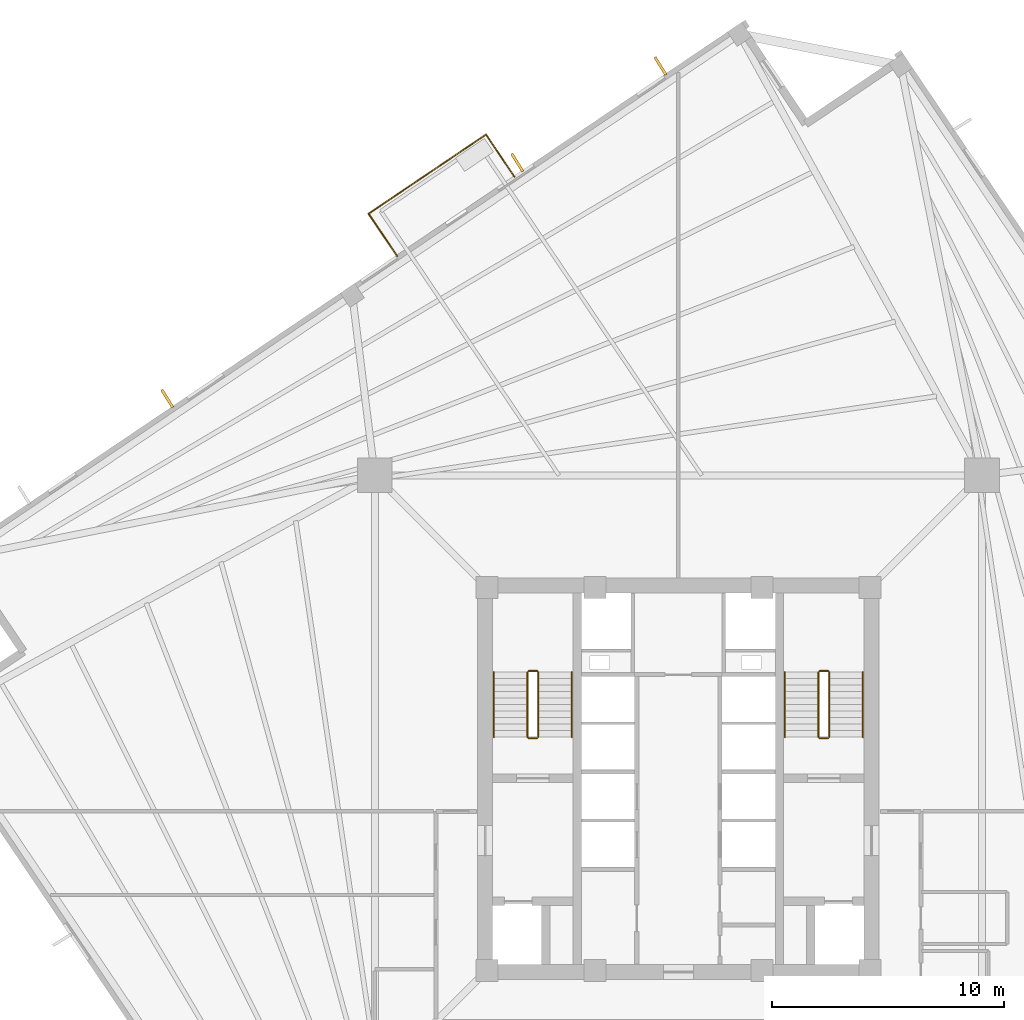
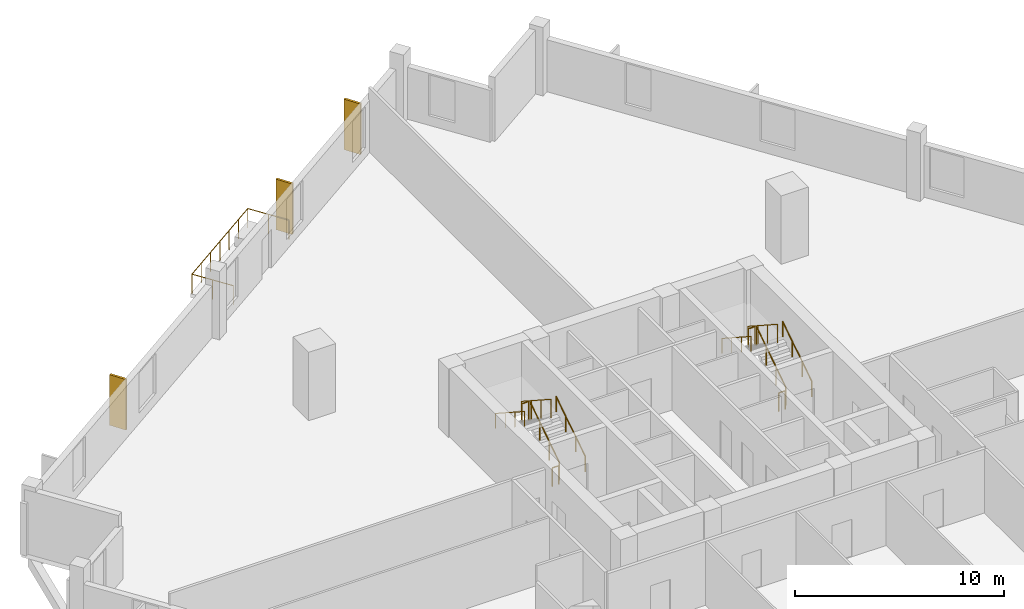
# One storey, part 7 of 8: 15 railings, 3 coverings.
"""IFC4 building model written with IfcOpenShell, lengths in metres."""

from ifc_helpers import new_model, si_unit, direction, frame, origin, origin_2d, place, context, subcontext, project, spatial, rectangle, circle, extrude, source, transform, mapped, material, layer, layer_set, type_object, element, save


model = new_model("IFC4")

# Units and contexts
model_context = context("Model", 3, precision=1e-05, world=origin(), true_north=direction((0.0, 1.0)))
body_context = subcontext(model_context, "Body", "Model", "MODEL_VIEW")
ifc_project = project(units=[si_unit("LENGTHUNIT", "METRE"), si_unit("AREAUNIT", "SQUARE_METRE"), si_unit("VOLUMEUNIT", "CUBIC_METRE"), si_unit("PLANEANGLEUNIT", "RADIAN"), si_unit("MASSUNIT", "GRAM", prefix="KILO"), si_unit("THERMODYNAMICTEMPERATUREUNIT", "KELVIN")], contexts=[model_context])

# Site, building, storey
site_placement = place(None, origin())
site = spatial("IfcSite", under=ifc_project, at=site_placement, CompositionType="ELEMENT")
building_placement = place(site_placement, origin())
building = spatial("IfcBuilding", under=site, at=building_placement, Name="Kosmvard Interchange Tower", CompositionType="ELEMENT")
storey_placement = place(building_placement, frame((0.0, 0.0, 152.39990234375)))
storey = spatial("IfcBuildingStorey", under=building, at=storey_placement, Name="L36", CompositionType="ELEMENT", Elevation=152.39990234375)

# Coverings
ifc_material_1 = material(Name="Architectural anodised aluminium", Category="aluminium")
ifc_layer = layer(ifc_material_1, 0.1201171875, Name="Architectural anodised aluminium")
ifc_layer_set = layer_set([ifc_layer], Name="Architectural anodised aluminium")
covering_type = type_object("IfcCoveringType", Name="Rotating Vertical Sun-Breaker Fin 900x120 Aluminium", PredefinedType="CLADDING", material=ifc_layer_set)
shared_shape_1 = source(origin(), body_context, "Body", "SweptSolid", [
    extrude(rectangle(XDim=0.89990234375, YDim=0.1201171875, at=origin_2d()), origin(), (0.0, 0.0, 1.0), 2.9599609375),
])
for number, where, z_axis, x_axis, name in (
    (1, (-0.774169921875, 30.718994140625, 0.0400390625), (0.0, 0.0, 1.0), (-0.529475154669, 0.848325444973, 0.0), "L36 Rotating Vertical Sun-Breaker Fin 09"),
    (2, (-6.943115234375, 26.557861328125, 0.0400390625), (0.0, 0.0, 1.0), (-0.529475154669, 0.848325444973, 0.0), "L36 Rotating Vertical Sun-Breaker Fin 10"),
    (3, (-22.02294921875, 16.38623046875, 0.0400390625), (0.0, 0.0, 1.0), (-0.529475154669, 0.848325444973, 0.0), "L36 Rotating Vertical Sun-Breaker Fin 11"),
):
    element("IfcCovering", number, at=place(storey_placement, frame(where, z_axis=z_axis, x_axis=x_axis)), inside=storey, type_object=covering_type, Name=name, PredefinedType="CLADDING", context=body_context, shape_type="MappedRepresentation", body=[
        mapped(shared_shape_1, transform((0.0, 0.0, 0.0), scale=1.0)),
    ])

# Railings
ifc_material_2 = material(Name="Steel S355", Category="steel")
railing_type_1 = type_object("IfcRailingType", Name="Observation & Balcony Glass-Infill Balustrade 1150", PredefinedType="BALUSTRADE", material=ifc_material_2)
shared_shape_2 = source(origin(), body_context, "Body", "SweptSolid", [
    extrude(circle(Radius=0.02392578125, at=origin_2d()), frame((0.0, 0.0, 1.1259765625), z_axis=(0.559173597279, -0.829050594418, 0.0), x_axis=(0.829050594418, 0.559173597279, 0.0)), (0.0, 0.0, 1.0), 2.2001953125),
    extrude(circle(Radius=0.02099609375, at=origin_2d()), origin(), (0.0, 0.0, 1.0), 1.101806640625),
    extrude(circle(Radius=0.02099609375, at=origin_2d()), frame((0.615234375, -0.912109375, 0.0)), (0.0, 0.0, 1.0), 1.101806640625),
    extrude(circle(Radius=0.02099609375, at=origin_2d()), frame((1.230224609375, -1.823974609375, 0.0)), (0.0, 0.0, 1.0), 1.101806640625),
])
railing_1_placement = place(storey_placement, frame((-13.34765625, 24.348876953125, 0.0)))
element("IfcRailing", 4, at=railing_1_placement, inside=storey, type_object=railing_type_1, Name="L36 Outdoor Terrace Guard BAL-L36-N-C", PredefinedType="BALUSTRADE", context=body_context, shape_type="MappedRepresentation", body=[
    mapped(shared_shape_2, transform((0.0, 0.0, 0.0), scale=1.0)),
])
shared_shape_3 = source(origin(), body_context, "Body", "SweptSolid", [
    extrude(circle(Radius=0.02392578125, at=origin_2d()), frame((0.0, 0.0, 1.1259765625), z_axis=(-0.559173597279, 0.829050594418, 0.0), x_axis=(-0.829050594418, -0.559173597279, 0.0)), (0.0, 0.0, 1.0), 2.2001953125),
    extrude(circle(Radius=0.02099609375, at=origin_2d()), origin(), (0.0, 0.0, 1.0), 1.101806640625),
    extrude(circle(Radius=0.02099609375, at=origin_2d()), frame((-0.615234375, 0.912109375, 0.0)), (0.0, 0.0, 1.0), 1.101806640625),
    extrude(circle(Radius=0.02099609375, at=origin_2d()), frame((-1.230224609375, 1.823974609375, 0.0)), (0.0, 0.0, 1.0), 1.101806640625),
])
railing_2_placement = place(storey_placement, frame((-7.060302734375, 25.93603515625, 0.0)))
element("IfcRailing", 5, at=railing_2_placement, inside=storey, type_object=railing_type_1, Name="L36 Outdoor Terrace Guard BAL-L36-N-A", PredefinedType="BALUSTRADE", context=body_context, shape_type="MappedRepresentation", body=[
    mapped(shared_shape_3, transform((0.0, 0.0, 0.0), scale=1.0)),
])
shared_shape_4 = source(origin(), body_context, "Body", "SweptSolid", [
    extrude(circle(Radius=0.02392578125, at=origin_2d()), frame((0.0, 0.0, 1.1259765625), z_axis=(-0.829033294248, -0.55919924627, 0.0), x_axis=(0.55919924627, -0.829033294248, 0.0)), (0.0, 0.0, 1.0), 6.10009765625),
    extrude(circle(Radius=0.02099609375, at=origin_2d()), origin(), (0.0, 0.0, 1.0), 1.101806640625),
    extrude(circle(Radius=0.02099609375, at=origin_2d()), frame((-0.8427734375, -0.568603515625, 0.0)), (0.0, 0.0, 1.0), 1.101806640625),
    extrude(circle(Radius=0.02099609375, at=origin_2d()), frame((-1.685791015625, -1.136962890625, 0.0)), (0.0, 0.0, 1.0), 1.101806640625),
    extrude(circle(Radius=0.02099609375, at=origin_2d()), frame((-2.528564453125, -1.70556640625, 0.0)), (0.0, 0.0, 1.0), 1.101806640625),
    extrude(circle(Radius=0.02099609375, at=origin_2d()), frame((-3.371337890625, -2.274169921875, 0.0)), (0.0, 0.0, 1.0), 1.101806640625),
    extrude(circle(Radius=0.02099609375, at=origin_2d()), frame((-4.21435546875, -2.842529296875, 0.0)), (0.0, 0.0, 1.0), 1.101806640625),
    extrude(circle(Radius=0.02099609375, at=origin_2d()), frame((-5.05712890625, -3.4111328125, 0.0)), (0.0, 0.0, 1.0), 1.101806640625),
])
railing_3_placement = place(storey_placement, frame((-8.29052734375, 27.760009765625, 0.0)))
element("IfcRailing", 6, at=railing_3_placement, inside=storey, type_object=railing_type_1, Name="L36 Outdoor Terrace Guard BAL-L36-N-B", PredefinedType="BALUSTRADE", context=body_context, shape_type="MappedRepresentation", body=[
    mapped(shared_shape_4, transform((0.0, 0.0, 0.0), scale=1.0)),
])
railing_type_2 = type_object("IfcRailingType", Name="Stair & Terrace Safety Guardrail 1100 Steel", PredefinedType="GUARDRAIL", material=ifc_material_2)
shared_shape_5 = source(origin(), body_context, "Body", "SweptSolid", [
    extrude(circle(Radius=0.02392578125, at=origin_2d()), frame((0.0, 0.0, 1.076171875), z_axis=(-1.0, 0.0, 0.0), x_axis=(0.0, -1.0, 0.0)), (0.0, 0.0, 1.0), 0.35986328125),
    extrude(circle(Radius=0.02099609375, at=origin_2d()), origin(), (0.0, 0.0, 1.0), 1.052001953125),
    extrude(circle(Radius=0.02099609375, at=origin_2d()), frame((-0.35986328125, 0.0, 0.0)), (0.0, 0.0, 1.0), 1.052001953125),
])
for number, where, name in (
    (7, (-6.090087890625, 4.64990234375, 2.0), "L36 ST-1 stair guard 2"),
    (8, (-6.090087890625, 1.75, 0.0), "L36 ST-1 stair guard 4"),
    (9, (6.449951171875, 4.64990234375, 2.0), "L36 ST-2 stair guard 2"),
    (10, (6.449951171875, 1.75, 0.0), "L36 ST-2 stair guard 4"),
):
    element("IfcRailing", number, at=place(storey_placement, frame(where)), inside=storey, type_object=railing_type_2, Name=name, PredefinedType="GUARDRAIL", context=body_context, shape_type="MappedRepresentation", body=[
        mapped(shared_shape_5, transform((0.0, 0.0, 0.0), scale=1.0)),
    ])
shared_shape_6 = source(origin(), body_context, "Body", "SweptSolid", [
    extrude(circle(Radius=0.02392578125, at=origin_2d()), frame((0.0, 0.0, 1.076171875), z_axis=(0.0, 0.838705829183, 0.544584733623), x_axis=(-1.0, 0.0, 0.0)), (0.0, 0.0, 1.0), 3.338623046875),
    extrude(circle(Radius=0.02099609375, at=origin_2d()), origin(), (0.0, 0.0, 1.0), 1.052001953125),
    extrude(circle(Radius=0.02099609375, at=origin_2d()), frame((0.0, 0.933349609375, 0.60595703125)), (0.0, 0.0, 1.0), 1.052001953125),
    extrude(circle(Radius=0.02099609375, at=origin_2d()), frame((0.0, 1.86669921875, 1.212158203125)), (0.0, 0.0, 1.0), 1.052001953125),
    extrude(circle(Radius=0.02099609375, at=origin_2d()), frame((0.0, 2.800048828125, 1.818115234375)), (0.0, 0.0, 1.0), 1.052001953125),
])
for number, where, name in (
    (11, (-6.0400390625, 1.800048828125, 0.181884765625), "L36 ST-1 stair guard 1"),
    (12, (6.5, 1.800048828125, 0.181884765625), "L36 ST-2 stair guard 1"),
):
    element("IfcRailing", number, at=place(storey_placement, frame(where)), inside=storey, type_object=railing_type_2, Name=name, PredefinedType="GUARDRAIL", context=body_context, shape_type="MappedRepresentation", body=[
        mapped(shared_shape_6, transform((0.0, 0.0, 0.0), scale=1.0)),
    ])
shared_shape_7 = source(origin(), body_context, "Body", "SweptSolid", [
    extrude(circle(Radius=0.02392578125, at=origin_2d()), frame((0.0, 0.0, 1.076171875), z_axis=(0.0, -0.838705829183, 0.544584733623), x_axis=(1.0, 0.0, 0.0)), (0.0, 0.0, 1.0), 3.338623046875),
    extrude(circle(Radius=0.02099609375, at=origin_2d()), origin(), (0.0, 0.0, 1.0), 1.052001953125),
    extrude(circle(Radius=0.02099609375, at=origin_2d()), frame((0.0, -0.933349609375, 0.60595703125)), (0.0, 0.0, 1.0), 1.052001953125),
    extrude(circle(Radius=0.02099609375, at=origin_2d()), frame((0.0, -1.86669921875, 1.212158203125)), (0.0, 0.0, 1.0), 1.052001953125),
    extrude(circle(Radius=0.02099609375, at=origin_2d()), frame((0.0, -2.800048828125, 1.818115234375)), (0.0, 0.0, 1.0), 1.052001953125),
])
for number, where, name in (
    (13, (-6.5, 4.60009765625, 2.181884765625), "L36 ST-1 stair guard 3"),
    (14, (6.0400390625, 4.60009765625, 2.181884765625), "L36 ST-2 stair guard 3"),
):
    element("IfcRailing", number, at=place(storey_placement, frame(where)), inside=storey, type_object=railing_type_2, Name=name, PredefinedType="GUARDRAIL", context=body_context, shape_type="MappedRepresentation", body=[
        mapped(shared_shape_7, transform((0.0, 0.0, 0.0), scale=1.0)),
    ])
railing_type_3 = type_object("IfcRailingType", Name="Wall-Mounted Stair Handrail 900 Steel", PredefinedType="HANDRAIL", material=ifc_material_2)
shared_shape_8 = source(origin(), body_context, "Body", "SweptSolid", [
    extrude(circle(Radius=0.02392578125, at=origin_2d()), frame((0.0, 0.0, 0.8759765625), z_axis=(0.0, 0.838705829183, 0.544584733623), x_axis=(-1.0, 0.0, 0.0)), (0.0, 0.0, 1.0), 3.338623046875),
    extrude(circle(Radius=0.02099609375, at=origin_2d()), origin(), (0.0, 0.0, 1.0), 0.851806640625),
    extrude(circle(Radius=0.02099609375, at=origin_2d()), frame((0.0, 0.933349609375, 0.60595703125)), (0.0, 0.0, 1.0), 0.851806640625),
    extrude(circle(Radius=0.02099609375, at=origin_2d()), frame((0.0, 1.86669921875, 1.212158203125)), (0.0, 0.0, 1.0), 0.851806640625),
    extrude(circle(Radius=0.02099609375, at=origin_2d()), frame((0.0, 2.800048828125, 1.818115234375)), (0.0, 0.0, 1.0), 0.851806640625),
])
for number, where, name in (
    (15, (-4.590087890625, 1.800048828125, 0.181884765625), "L36 ST-1 stair handrail 1"),
    (16, (7.949951171875, 1.800048828125, 0.181884765625), "L36 ST-2 stair handrail 1"),
):
    element("IfcRailing", number, at=place(storey_placement, frame(where)), inside=storey, type_object=railing_type_3, Name=name, PredefinedType="HANDRAIL", context=body_context, shape_type="MappedRepresentation", body=[
        mapped(shared_shape_8, transform((0.0, 0.0, 0.0), scale=1.0)),
    ])
shared_shape_9 = source(origin(), body_context, "Body", "SweptSolid", [
    extrude(circle(Radius=0.02392578125, at=origin_2d()), frame((0.0, 0.0, 0.8759765625), z_axis=(0.0, -0.838705829183, 0.544584733623), x_axis=(1.0, 0.0, 0.0)), (0.0, 0.0, 1.0), 3.338623046875),
    extrude(circle(Radius=0.02099609375, at=origin_2d()), origin(), (0.0, 0.0, 1.0), 0.851806640625),
    extrude(circle(Radius=0.02099609375, at=origin_2d()), frame((0.0, -0.933349609375, 0.60595703125)), (0.0, 0.0, 1.0), 0.851806640625),
    extrude(circle(Radius=0.02099609375, at=origin_2d()), frame((0.0, -1.86669921875, 1.212158203125)), (0.0, 0.0, 1.0), 0.851806640625),
    extrude(circle(Radius=0.02099609375, at=origin_2d()), frame((0.0, -2.800048828125, 1.818115234375)), (0.0, 0.0, 1.0), 0.851806640625),
])
for number, where, name in (
    (17, (-7.949951171875, 4.60009765625, 2.181884765625), "L36 ST-1 stair handrail 2"),
    (18, (4.590087890625, 4.60009765625, 2.181884765625), "L36 ST-2 stair handrail 2"),
):
    element("IfcRailing", number, at=place(storey_placement, frame(where)), inside=storey, type_object=railing_type_3, Name=name, PredefinedType="HANDRAIL", context=body_context, shape_type="MappedRepresentation", body=[
        mapped(shared_shape_9, transform((0.0, 0.0, 0.0), scale=1.0)),
    ])

save(model, "model.ifc")
